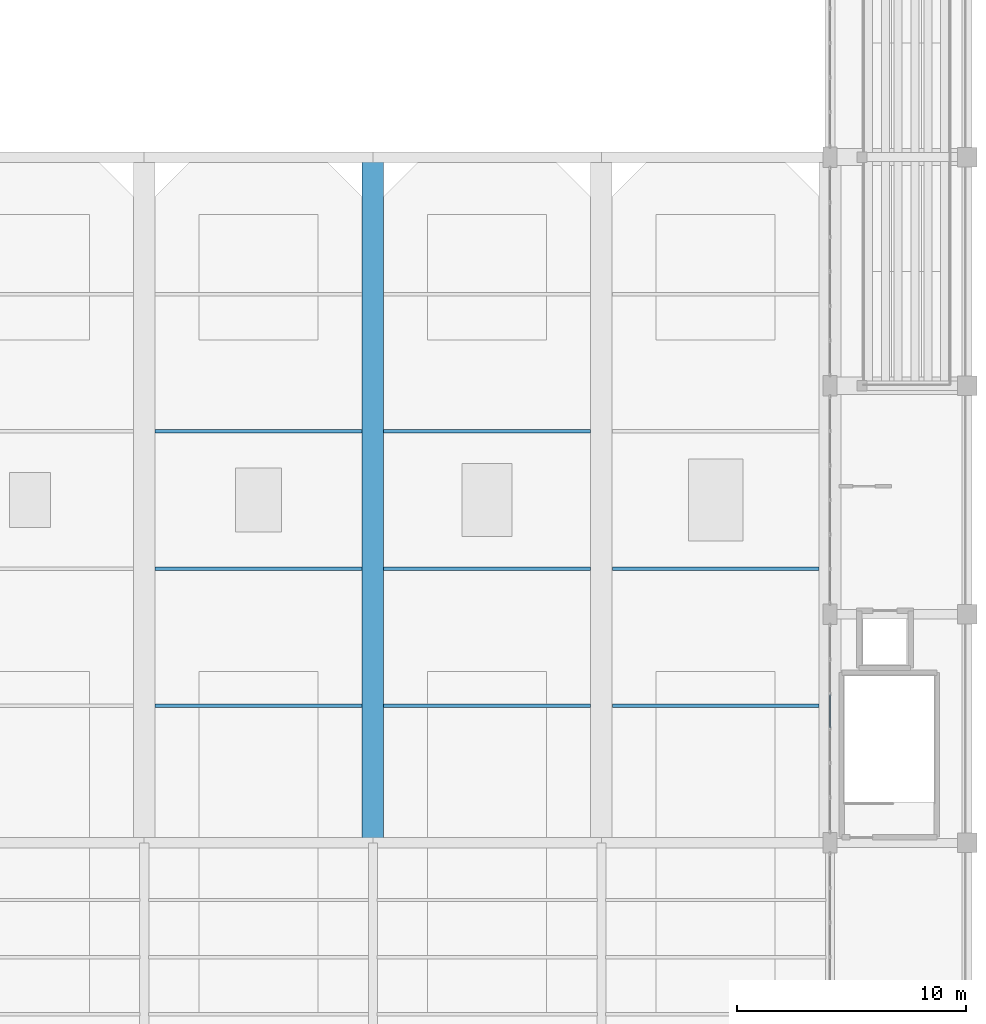
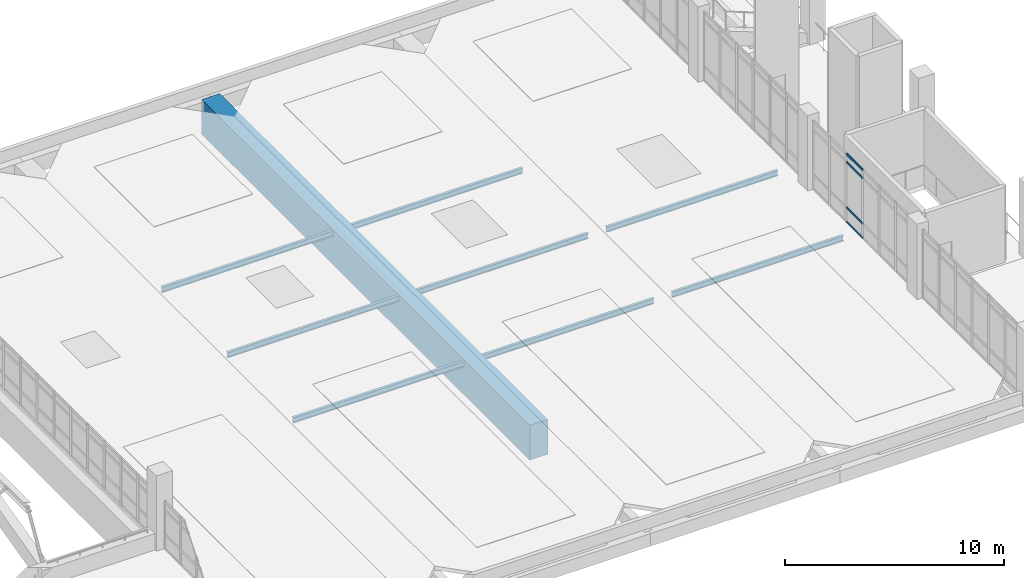
# One storey, part 50 of 161: 9 beams, 4 members, 1 element without a shape of its own.
"""IFC4 building model written with IfcOpenShell, lengths in metres."""

import ifcopenshell
import ifcopenshell.guid

model = None  # the IFC model being written
_history = None  # IfcOwnerHistory: only IFC2X3 demands one
_inside = {}  # id of a spatial element -> (the spatial element, [elements in it])
_under = {}  # id of a project, library or spatial element -> (it, [spatial elements below it])
_declared = {}  # id of a project -> (the project, [libraries it declares])
_typed = {}  # id of a type object -> (the type object, [elements of that type])
_made_of = {}  # id of a material, layer set ... -> (it, [elements and type objects made of it])


def new_model(schema):
    """Start an empty IFC model of exactly this schema.

    Asked for "IFC4X3", IfcOpenShell would pick the latest addendum, in which some entities
    have other attributes; the version numbers below select the first issue.
    IFC2X3 requires an IfcOwnerHistory on every rooted entity: one is made here for all.
    """
    global model, _history
    if schema == "IFC4X3":
        model = ifcopenshell.file(schema_version=(4, 3, 0, 0))
    else:
        model = ifcopenshell.file(schema=schema)
    _inside.clear()
    _under.clear()
    _declared.clear()
    _typed.clear()
    _made_of.clear()
    _history = None
    if model.schema == "IFC2X3":
        org = make("IfcOrganization", Name="unknown")
        user = make(
            "IfcPersonAndOrganization",
            ThePerson=make("IfcPerson", FamilyName="unknown"),
            TheOrganization=org,
        )
        app = make(
            "IfcApplication",
            ApplicationDeveloper=org,
            Version="unknown",
            ApplicationFullName="unknown",
            ApplicationIdentifier="unknown",
        )
        _history = make(
            "IfcOwnerHistory",
            OwningUser=user,
            OwningApplication=app,
            ChangeAction="ADDED",
            CreationDate=0,
        )
    return model


def make(cls, **values):
    """One entity of the class cls with the attributes given. An attribute that is None is left unset."""
    return model.create_entity(
        cls, **{name: value for name, value in values.items() if value is not None}
    )


def rooted(cls, **values):
    """An entity with a GlobalId (a new one), such as an element, a storey or a relation."""
    return make(cls, GlobalId=ifcopenshell.guid.new(), OwnerHistory=_history, **values)


def si_unit(unit_type, name, prefix=None):
    """IfcSIUnit, for example si_unit("LENGTHUNIT", "METRE", prefix="MILLI")."""
    return make("IfcSIUnit", UnitType=unit_type, Prefix=prefix, Name=name)


def assignment(units):
    """IfcUnitAssignment: the units of a project."""
    return None if units is None else make("IfcUnitAssignment", Units=units)


def point(xyz):
    """IfcCartesianPoint."""
    return None if xyz is None else make("IfcCartesianPoint", Coordinates=xyz)


def direction(xyz):
    """IfcDirection."""
    return None if xyz is None else make("IfcDirection", DirectionRatios=xyz)


def frame(location, z_axis=None, x_axis=None):
    """IfcAxis2Placement3D, a coordinate frame: its origin and axes. An axis left out is left unset."""
    return make(
        "IfcAxis2Placement3D",
        Location=point(location),
        Axis=direction(z_axis),
        RefDirection=direction(x_axis),
    )


def frame_2d(location, x_axis=None):
    """IfcAxis2Placement2D, a coordinate frame in the plane: its origin and x axis."""
    return make(
        "IfcAxis2Placement2D", Location=point(location), RefDirection=direction(x_axis)
    )


def origin():
    """The frame at (0, 0, 0) with its axes left unset."""
    return frame((0.0, 0.0, 0.0))


def origin_2d():
    """The frame at (0, 0) in the plane with its x axis left unset."""
    return frame_2d((0.0, 0.0))


def place(relative_to, where):
    """IfcLocalPlacement: puts the frame where relative to a parent placement (None: the world)."""
    return make(
        "IfcLocalPlacement", PlacementRelTo=relative_to, RelativePlacement=where
    )


def context(
    kind, dimensions, precision=None, world=None, true_north=None, identifier=None
):
    """IfcGeometricRepresentationContext, for example the 3D "Model" context."""
    return make(
        "IfcGeometricRepresentationContext",
        ContextIdentifier=identifier,
        ContextType=kind,
        CoordinateSpaceDimension=dimensions,
        Precision=precision,
        WorldCoordinateSystem=world,
        TrueNorth=true_north,
    )


def subcontext(parent, identifier, kind, view, scale=None):
    """IfcGeometricRepresentationSubContext, for example "Body" below "Model"."""
    return make(
        "IfcGeometricRepresentationSubContext",
        ContextIdentifier=identifier,
        ContextType=kind,
        ParentContext=parent,
        TargetScale=scale,
        TargetView=view,
    )


def project(units=None, contexts=None):
    """IfcProject with its units and contexts."""
    return rooted(
        "IfcProject",
        Name="project",
        RepresentationContexts=contexts,
        UnitsInContext=assignment(units),
    )


def spatial(cls, under=None, at=None, **own):
    """A site, building, storey or space (cls), placed at a placement, below another one or the project."""
    s = rooted(cls, ObjectPlacement=at, **own)
    if under is not None:
        _under.setdefault(under.id(), (under, []))[1].append(s)
    return s


def profile(cls, at=None, kind="AREA", **sizes):
    """A parametric profile (cls). Its sizes go by their IFC names, for example OverallWidth=200.0."""
    return make(cls, ProfileType=kind, Position=at, **sizes)


def rectangle(**sizes):
    """IfcRectangleProfileDef."""
    return profile("IfcRectangleProfileDef", **sizes)


def hollow_rectangle(**sizes):
    """IfcRectangleHollowProfileDef."""
    return profile("IfcRectangleHollowProfileDef", **sizes)


def i_section(**sizes):
    """IfcIShapeProfileDef."""
    return profile("IfcIShapeProfileDef", **sizes)


def extrude(swept, where, along, depth):
    """IfcExtrudedAreaSolid: the profile swept, set in the frame where, extruded along a direction by depth."""
    return make(
        "IfcExtrudedAreaSolid",
        SweptArea=swept,
        Position=where,
        ExtrudedDirection=direction(along),
        Depth=depth,
    )


def shape(context_of_items, identifier, shape_type, items):
    """IfcShapeRepresentation: the items that make up one representation, for example the "Body"."""
    return make(
        "IfcShapeRepresentation",
        ContextOfItems=context_of_items,
        RepresentationIdentifier=identifier,
        RepresentationType=shape_type,
        Items=items,
    )


def material(Name=None, Category=None):
    """IfcMaterial."""
    return make("IfcMaterial", Name=Name, Category=Category)


def layer(
    of_material, thickness, ventilated=None, Name=None, Category=None, Priority=None
):
    """IfcMaterialLayer: one layer of a wall or slab, of a material (None: an air gap)."""
    return make(
        "IfcMaterialLayer",
        Material=of_material,
        LayerThickness=thickness,
        IsVentilated=ventilated,
        Name=Name,
        Category=Category,
        Priority=Priority,
    )


def layer_set(layers, Name=None):
    """IfcMaterialLayerSet."""
    return make("IfcMaterialLayerSet", MaterialLayers=layers, LayerSetName=Name)


def material_profile(
    of_material, cross_section, Name=None, Category=None, Priority=None
):
    """IfcMaterialProfile: a cross section and its material."""
    return make(
        "IfcMaterialProfile",
        Name=Name,
        Material=of_material,
        Profile=cross_section,
        Priority=Priority,
        Category=Category,
    )


def profile_set(profiles, Name=None, composite=None):
    """IfcMaterialProfileSet."""
    return make(
        "IfcMaterialProfileSet",
        Name=Name,
        MaterialProfiles=profiles,
        CompositeProfile=composite,
    )


def made_of(thing, what):
    """Note that an element or type object is made of a material, layer set ...; save() writes the relation."""
    if what is not None:
        _made_of.setdefault(what.id(), (what, []))[1].append(thing)
    return thing


def type_object(cls, material=None, **own):
    """A type object (cls), such as IfcWallType, which elements share."""
    return made_of(rooted(cls, **own), material)


def element(
    cls,
    number,
    at=None,
    inside=None,
    cuts=None,
    type_object=None,
    material=None,
    context=None,
    identifier="Body",
    shape_type=None,
    held_by="IfcProductDefinitionShape",
    body=None,
    shapes=None,
    **own,
):
    """One element of the class cls, such as IfcWall. Its Tag is "e" and its number.

    at: its placement. inside: the storey or other place that contains it. cuts: it is an
    opening in that element (IfcRelVoidsElement). A single representation is given by context,
    identifier, shape_type and body (its items); several are given by shapes. held_by: the class
    of the entity that holds the representations. save() writes the other relations.
    """
    e = rooted(cls, Tag="e%d" % number, ObjectPlacement=at, **own)
    if body is not None:
        shapes = [shape(context, identifier, shape_type, body)]
    if shapes is not None:
        e.Representation = make(held_by, Representations=shapes)
    if inside is not None:
        _inside.setdefault(inside.id(), (inside, []))[1].append(e)
    if cuts is not None:
        rooted(
            "IfcRelVoidsElement", RelatingBuildingElement=cuts, RelatedOpeningElement=e
        )
    if type_object is not None:
        _typed.setdefault(type_object.id(), (type_object, []))[1].append(e)
    return made_of(e, material)


def aggregate(whole, parts):
    """IfcRelAggregates: a whole, such as a stair, and the parts it consists of."""
    return rooted("IfcRelAggregates", RelatingObject=whole, RelatedObjects=parts)


def save(model, path):
    """Write the relations noted so far, then the file.

    IfcRelAggregates (storeys below a building ...), IfcRelContainedInSpatialStructure (elements
    in a storey), IfcRelDefinesByType, IfcRelAssociatesMaterial and IfcRelDeclares: one each for
    every whole, place, type object, material and project.
    """
    for whole, parts in _under.values():
        aggregate(whole, parts)
    for where, things in _inside.values():
        rooted(
            "IfcRelContainedInSpatialStructure",
            RelatedElements=things,
            RelatingStructure=where,
        )
    for kind, things in _typed.values():
        rooted("IfcRelDefinesByType", RelatedObjects=things, RelatingType=kind)
    for what, things in _made_of.values():
        rooted("IfcRelAssociatesMaterial", RelatedObjects=things, RelatingMaterial=what)
    for by, libraries in _declared.values():
        rooted("IfcRelDeclares", RelatingContext=by, RelatedDefinitions=libraries)
    model.write(path)


model = new_model("IFC4")

# Units and contexts
model_context = context("Model", 3, precision=1e-05, world=origin(), true_north=direction((0.0, 1.0)))
body_context = subcontext(model_context, "Body", "Model", "MODEL_VIEW")
ifc_project = project(units=[si_unit("LENGTHUNIT", "METRE"), si_unit("AREAUNIT", "SQUARE_METRE"), si_unit("VOLUMEUNIT", "CUBIC_METRE"), si_unit("PLANEANGLEUNIT", "RADIAN"), si_unit("MASSUNIT", "GRAM", prefix="KILO")], contexts=[model_context])

# Site, building, storey
site_placement = place(None, origin())
site = spatial("IfcSite", under=ifc_project, at=site_placement, CompositionType="ELEMENT")
building_placement = place(site_placement, origin())
building = spatial("IfcBuilding", under=site, at=building_placement, Name="Mersad Railyard Sports Hall", CompositionType="ELEMENT")
storey_placement = place(building_placement, frame((0.0, 0.0, 4.800048828125)))
storey = spatial("IfcBuildingStorey", under=building, at=storey_placement, Name="L01", CompositionType="ELEMENT", Elevation=4.800048828125)

# Curtain wall, members
ifc_material_1 = material(Name="Aluminium 6063-T6", Category="aluminium")
ifc_layer = layer(ifc_material_1, 0.159912109375)
ifc_layer_set = layer_set([ifc_layer], Name="Aluminium 6063-T6")
curtain_wall_type = type_object("IfcCurtainWallType", Name="ARC-CW-CW25", PredefinedType="USERDEFINED", material=ifc_layer_set)
curtain_wall_placement = place(storey_placement, origin())
curtain_wall = element("IfcCurtainWall", 1, at=curtain_wall_placement, inside=storey, type_object=curtain_wall_type, Name="Curtain wall CW25-0066", ObjectType="CURTAIN WALL", PredefinedType="USERDEFINED")
ifc_material_profile_1 = material_profile(ifc_material_1, hollow_rectangle(XDim=0.06005859375, YDim=0.1201171875, WallThickness=0.00390625, at=origin_2d()), Name="AL TRANSOM 60x120x4")
ifc_profile_set_1 = profile_set([ifc_material_profile_1], Name="Aluminium 6063-T6")
member_type = type_object("IfcMemberType", Name="ARC-CW-TRN01", PredefinedType="USERDEFINED", material=ifc_profile_set_1)
member_1_placement = place(storey_placement, frame((131.0, 18.52001953125, 0.0400390625), z_axis=(0.0, 1.0, 0.0), x_axis=(-1.0, 0.0, 0.0)))
member_1 = element("IfcMember", 2, at=member_1_placement, type_object=member_type, Name="CW25 Transom 1-4", ObjectType="TRANSOM", PredefinedType="USERDEFINED", context=body_context, shape_type="SweptSolid", body=[
    extrude(hollow_rectangle(XDim=0.06005859375, YDim=0.1201171875, WallThickness=0.00390625, at=origin_2d()), origin(), (0.0, 0.0, 1.0), 1.469970703125),
])
member_2_placement = place(storey_placement, frame((131.0, 18.52001953125, 0.849853515625), z_axis=(0.0, 1.0, 0.0), x_axis=(-1.0, 0.0, 0.0)))
member_2 = element("IfcMember", 3, at=member_2_placement, type_object=member_type, Name="CW25 Transom 2-4", ObjectType="TRANSOM", PredefinedType="USERDEFINED", context=body_context, shape_type="SweptSolid", body=[
    extrude(hollow_rectangle(XDim=0.06005859375, YDim=0.1201171875, WallThickness=0.00390625, at=origin_2d()), origin(), (0.0, 0.0, 1.0), 1.469970703125),
])
member_3_placement = place(storey_placement, frame((131.0, 18.52001953125, 3.3798828125), z_axis=(0.0, 1.0, 0.0), x_axis=(-1.0, 0.0, 0.0)))
member_3 = element("IfcMember", 4, at=member_3_placement, type_object=member_type, Name="CW25 Transom 3-4", ObjectType="TRANSOM", PredefinedType="USERDEFINED", context=body_context, shape_type="SweptSolid", body=[
    extrude(hollow_rectangle(XDim=0.06005859375, YDim=0.1201171875, WallThickness=0.00390625, at=origin_2d()), origin(), (0.0, 0.0, 1.0), 1.469970703125),
])
member_4_placement = place(storey_placement, frame((131.0, 18.52001953125, 3.820068359375), z_axis=(0.0, 1.0, 0.0), x_axis=(-1.0, 0.0, 0.0)))
member_4 = element("IfcMember", 5, at=member_4_placement, type_object=member_type, Name="CW25 Transom 4-4", ObjectType="TRANSOM", PredefinedType="USERDEFINED", context=body_context, shape_type="SweptSolid", body=[
    extrude(hollow_rectangle(XDim=0.06005859375, YDim=0.1201171875, WallThickness=0.00390625, at=origin_2d()), origin(), (0.0, 0.0, 1.0), 1.469970703125),
])
aggregate(curtain_wall, [member_1, member_2, member_3, member_4])

# Beams
ifc_material_2 = material(Name="Steel S355", Category="steel")
ifc_material_profile_2 = material_profile(ifc_material_2, i_section(OverallWidth=0.14990234375, OverallDepth=0.300048828125, WebThickness=0.007080078125, FlangeThickness=0.0107421875, at=origin_2d()), Name="IPE 300")
ifc_profile_set_2 = profile_set([ifc_material_profile_2], Name="Steel S355")
beam_type_1 = type_object("IfcBeamType", Name="STR-BM-J02", PredefinedType="JOIST", material=ifc_profile_set_2)
for number, where, z_axis, x_axis, name in (
    (6, (101.47509765625, 19.5, -0.380126953125), (1.0, 0.0, 0.0), (0.0, 1.0, 0.0), "Beam J02-0609"),
    (7, (101.47509765625, 25.5, -0.380126953125), (1.0, 0.0, 0.0), (0.0, 1.0, 0.0), "Beam J02-0610"),
    (8, (101.47509765625, 31.5, -0.380126953125), (1.0, 0.0, 0.0), (0.0, 1.0, 0.0), "Beam J02-0611"),
    (9, (111.47509765625, 19.5, -0.380126953125), (1.0, 0.0, 0.0), (0.0, 1.0, 0.0), "Beam J02-0613"),
    (10, (111.47509765625, 25.5, -0.380126953125), (1.0, 0.0, 0.0), (0.0, 1.0, 0.0), "Beam J02-0614"),
    (11, (111.47509765625, 31.5, -0.380126953125), (1.0, 0.0, 0.0), (0.0, 1.0, 0.0), "Beam J02-0615"),
    (12, (121.47509765625, 19.5, -0.380126953125), (1.0, 0.0, 0.0), (0.0, 1.0, 0.0), "Beam J02-0617"),
    (13, (121.47509765625, 25.5, -0.380126953125), (1.0, 0.0, 0.0), (0.0, 1.0, 0.0), "Beam J02-0618"),
):
    element("IfcBeam", number, at=place(storey_placement, frame(where, z_axis=z_axis, x_axis=x_axis)), inside=storey, type_object=beam_type_1, Name=name, PredefinedType="JOIST", context=body_context, shape_type="SweptSolid", body=[
        extrude(i_section(OverallWidth=0.14990234375, OverallDepth=0.300048828125, WebThickness=0.007080078125, FlangeThickness=0.0107421875, at=origin_2d()), origin(), (0.0, 0.0, 1.0), 9.0498046875),
    ])
ifc_material_3 = material(Name="Post-tensioned concrete C50/60", Category="concrete")
ifc_material_profile_3 = material_profile(ifc_material_3, rectangle(XDim=0.949951171875, YDim=1.949951171875, at=origin_2d()), Name="PT 950x1950")
ifc_profile_set_3 = profile_set([ifc_material_profile_3], Name="Post-tensioned concrete C50/60")
beam_type_2 = type_object("IfcBeamType", Name="STR-BM-TG03", PredefinedType="USERDEFINED", material=ifc_profile_set_3)
beam_placement = place(storey_placement, frame((111.0, 13.5, -1.195068359375), z_axis=(0.0, 1.0, 0.0), x_axis=(-1.0, 0.0, 0.0)))
element("IfcBeam", 14, at=beam_placement, inside=storey, type_object=beam_type_2, Name="Transfer girder TG03-0586", ObjectType="GIRDER", PredefinedType="USERDEFINED", context=body_context, shape_type="SweptSolid", body=[
    extrude(rectangle(XDim=0.949951171875, YDim=1.949951171875, at=origin_2d()), origin(), (0.0, 0.0, 1.0), 30.0),
])

save(model, "model.ifc")
